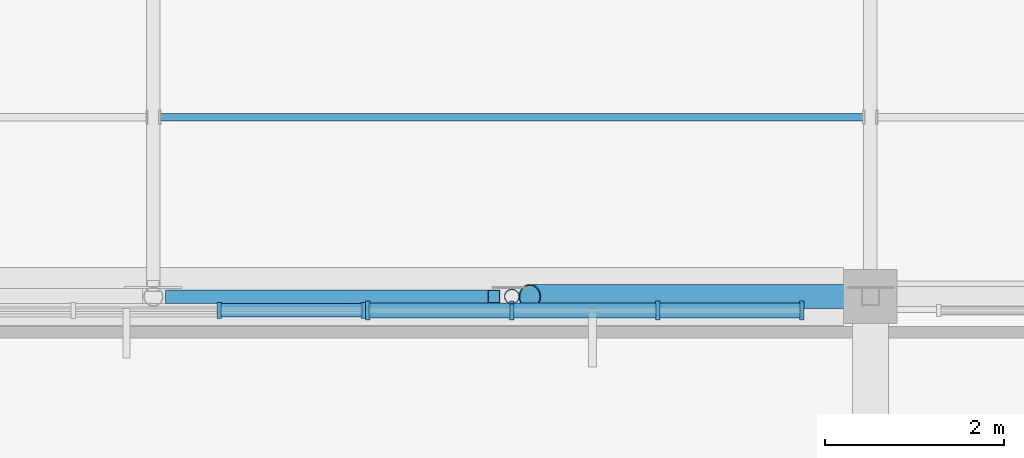
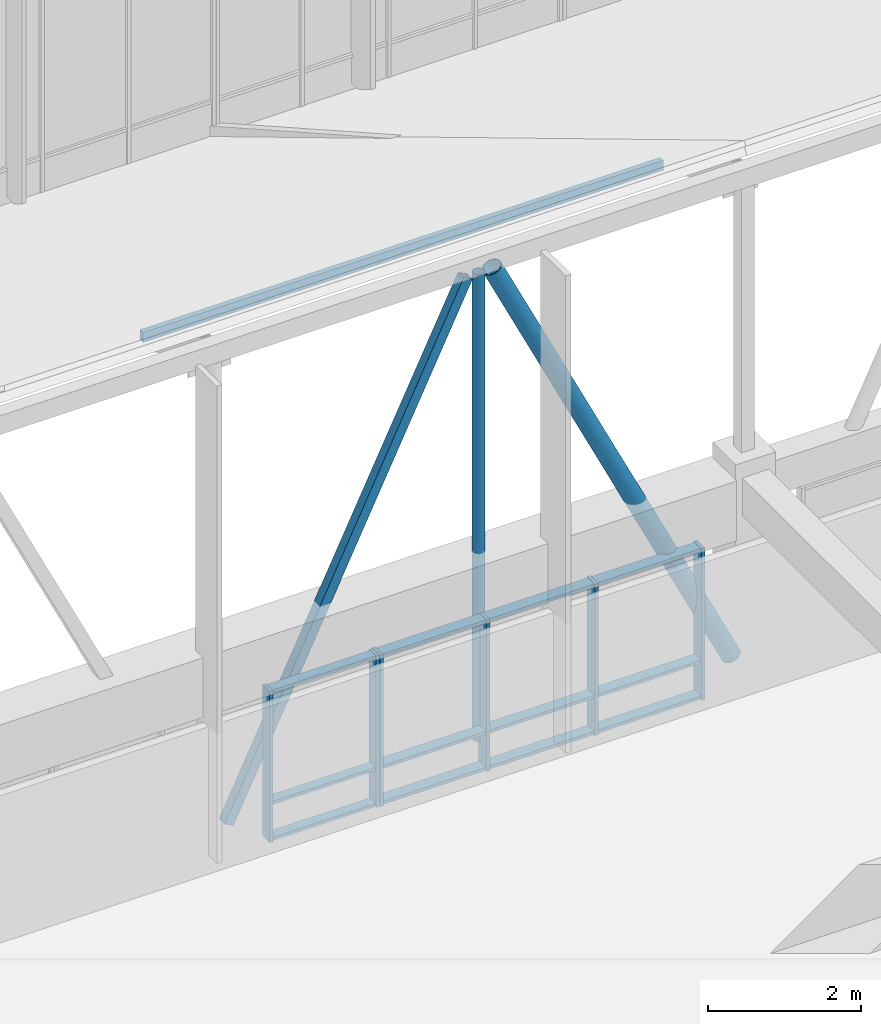
# One storey, part 34 of 155: 22 members, 2 elements without a shape of their own.
"""IFC4 building model written with IfcOpenShell, lengths in metres."""

from ifc_helpers import new_model, si_unit, direction, frame, origin, origin_2d, place, context, subcontext, project, spatial, rectangle, hollow_rectangle, hollow_circle, extrude, material, material_profile, profile_set, type_object, element, aggregate, save


model = new_model("IFC4")

# Units and contexts
model_context = context("Model", 3, precision=1e-05, world=origin(), true_north=direction((0.0, 1.0)))
body_context = subcontext(model_context, "Body", "Model", "MODEL_VIEW")
ifc_project = project(units=[si_unit("LENGTHUNIT", "METRE"), si_unit("AREAUNIT", "SQUARE_METRE"), si_unit("VOLUMEUNIT", "CUBIC_METRE"), si_unit("PLANEANGLEUNIT", "RADIAN"), si_unit("MASSUNIT", "GRAM", prefix="KILO")], contexts=[model_context])

# Site, building, storey
site_placement = place(None, origin())
site = spatial("IfcSite", under=ifc_project, at=site_placement, CompositionType="ELEMENT")
building_placement = place(site_placement, origin())
building = spatial("IfcBuilding", under=site, at=building_placement, Name="Larkveld Mobility Hub", CompositionType="ELEMENT")
storey_placement = place(building_placement, frame((0.0, 0.0, 8.39990234375)))
storey = spatial("IfcBuildingStorey", under=building, at=storey_placement, Name="L02", CompositionType="ELEMENT", Elevation=8.39990234375)

# Curtain wall, members
ifc_material_1 = material(Name="Anodised aluminium 6063-T6", Category="aluminium")
curtain_wall_type_1 = type_object("IfcCurtainWallType", Name="CW-SYS-10", PredefinedType="NOTDEFINED", material=ifc_material_1)
curtain_wall_1_placement = place(storey_placement, origin())
curtain_wall_1 = element("IfcCurtainWall", 1, at=curtain_wall_1_placement, inside=storey, type_object=curtain_wall_type_1, Name="Sawtooth South-Light Clerestory B1 CW-010", PredefinedType="NOTDEFINED")
ifc_material_profile_1 = material_profile(ifc_material_1, rectangle(XDim=0.050048828125, YDim=0.179931640625, at=origin_2d()), Name="ALU MULL 50x180")
ifc_profile_set_1 = profile_set([ifc_material_profile_1], Name="Anodised aluminium 6063-T6")
member_type_1 = type_object("IfcMemberType", Name="CW-MUL-02", PredefinedType="MULLION", material=ifc_profile_set_1)
member_1_placement = place(storey_placement, frame((160.735107421875, 27.844970703125, -0.001953125), z_axis=(0.0, 0.0, 1.0), x_axis=(1.0, 0.0, 0.0)))
member_1 = element("IfcMember", 2, at=member_1_placement, type_object=member_type_1, Name="CW10 mullion 3", PredefinedType="MULLION", context=body_context, shape_type="SweptSolid", body=[
    extrude(rectangle(XDim=0.050048828125, YDim=0.179931640625, at=origin_2d()), origin(), (0.0, 0.0, 1.0), 2.412109375),
])
member_2_placement = place(storey_placement, frame((162.341064453125, 27.844970703125, -0.001953125), z_axis=(0.0, 0.0, 1.0), x_axis=(1.0, 0.0, 0.0)))
member_2 = element("IfcMember", 3, at=member_2_placement, type_object=member_type_1, Name="CW10 mullion 4", PredefinedType="MULLION", context=body_context, shape_type="SweptSolid", body=[
    extrude(rectangle(XDim=0.050048828125, YDim=0.179931640625, at=origin_2d()), origin(), (0.0, 0.0, 1.0), 2.412109375),
])

curtain_wall_type_2 = type_object("IfcCurtainWallType", Name="CW-SYS-11", PredefinedType="NOTDEFINED", material=ifc_material_1)
curtain_wall_2_placement = place(storey_placement, origin())
curtain_wall_2 = element("IfcCurtainWall", 4, at=curtain_wall_2_placement, inside=storey, type_object=curtain_wall_type_2, Name="Sawtooth South-Light Clerestory B1 CW-011", PredefinedType="NOTDEFINED")
ifc_material_profile_2 = material_profile(ifc_material_1, rectangle(XDim=0.050048828125, YDim=0.2099609375, at=origin_2d()), Name="ALU MULL 50x210")
ifc_profile_set_2 = profile_set([ifc_material_profile_2], Name="Anodised aluminium 6063-T6")
member_type_2 = type_object("IfcMemberType", Name="CW-MUL-03", PredefinedType="MULLION", material=ifc_profile_set_2)
member_3_placement = place(storey_placement, frame((162.39208984375, 27.844970703125, -0.001953125), z_axis=(0.0, 0.0, 1.0), x_axis=(1.0, 0.0, 0.0)))
member_3 = element("IfcMember", 5, at=member_3_placement, type_object=member_type_2, Name="CW11 mullion 1", PredefinedType="MULLION", context=body_context, shape_type="SweptSolid", body=[
    extrude(rectangle(XDim=0.050048828125, YDim=0.2099609375, at=origin_2d()), origin(), (0.0, 0.0, 1.0), 2.412109375),
])
member_4_placement = place(storey_placement, frame((163.998046875, 27.844970703125, -0.001953125), z_axis=(0.0, 0.0, 1.0), x_axis=(1.0, 0.0, 0.0)))
member_4 = element("IfcMember", 6, at=member_4_placement, type_object=member_type_2, Name="CW11 mullion 2", PredefinedType="MULLION", context=body_context, shape_type="SweptSolid", body=[
    extrude(rectangle(XDim=0.050048828125, YDim=0.2099609375, at=origin_2d()), origin(), (0.0, 0.0, 1.0), 2.412109375),
])
member_5_placement = place(storey_placement, frame((165.62890625, 27.844970703125, -0.001953125), z_axis=(0.0, 0.0, 1.0), x_axis=(1.0, 0.0, 0.0)))
member_5 = element("IfcMember", 7, at=member_5_placement, type_object=member_type_2, Name="CW11 mullion 3", PredefinedType="MULLION", context=body_context, shape_type="SweptSolid", body=[
    extrude(rectangle(XDim=0.050048828125, YDim=0.2099609375, at=origin_2d()), origin(), (0.0, 0.0, 1.0), 2.412109375),
])
member_6_placement = place(storey_placement, frame((167.235107421875, 27.844970703125, -0.001953125), z_axis=(0.0, 0.0, 1.0), x_axis=(1.0, 0.0, 0.0)))
member_6 = element("IfcMember", 8, at=member_6_placement, type_object=member_type_2, Name="CW11 mullion 4", PredefinedType="MULLION", context=body_context, shape_type="SweptSolid", body=[
    extrude(rectangle(XDim=0.050048828125, YDim=0.2099609375, at=origin_2d()), origin(), (0.0, 0.0, 1.0), 2.412109375),
])

# Member
ifc_material_profile_3 = material_profile(ifc_material_1, rectangle(XDim=0.14990234375, YDim=0.050048828125, at=origin_2d()), Name="ALU TRAN 50x150")
ifc_profile_set_3 = profile_set([ifc_material_profile_3], Name="Anodised aluminium 6063-T6")
member_type_3 = type_object("IfcMemberType", Name="CW-TRN-02", PredefinedType="USERDEFINED", material=ifc_profile_set_3)
member_7_placement = place(storey_placement, frame((160.75, 27.844970703125, 0.030029296875), z_axis=(1.0, 0.0, 0.0), x_axis=(0.0, 1.0, 0.0)))
member_7 = element("IfcMember", 9, at=member_7_placement, type_object=member_type_3, Name="CW10 transom 3.1", ObjectType="TRANSOM", PredefinedType="USERDEFINED", context=body_context, shape_type="SweptSolid", body=[
    extrude(rectangle(XDim=0.14990234375, YDim=0.050048828125, at=origin_2d()), origin(), (0.0, 0.0, 1.0), 1.5810546875),
])

member_8_placement = place(storey_placement, frame((160.75, 27.844970703125, 0.60205078125), z_axis=(1.0, 0.0, 0.0), x_axis=(0.0, 1.0, 0.0)))
member_8 = element("IfcMember", 10, at=member_8_placement, type_object=member_type_3, Name="CW10 transom 3.2", ObjectType="TRANSOM", PredefinedType="USERDEFINED", context=body_context, shape_type="SweptSolid", body=[
    extrude(rectangle(XDim=0.14990234375, YDim=0.050048828125, at=origin_2d()), origin(), (0.0, 0.0, 1.0), 1.5810546875),
])

member_9_placement = place(storey_placement, frame((160.75, 27.844970703125, 2.378173828125), z_axis=(1.0, 0.0, 0.0), x_axis=(0.0, 1.0, 0.0)))
member_9 = element("IfcMember", 11, at=member_9_placement, type_object=member_type_3, Name="CW10 transom 3.3", ObjectType="TRANSOM", PredefinedType="USERDEFINED", context=body_context, shape_type="SweptSolid", body=[
    extrude(rectangle(XDim=0.14990234375, YDim=0.050048828125, at=origin_2d()), origin(), (0.0, 0.0, 1.0), 1.5810546875),
])

aggregate(curtain_wall_1, [member_1, member_2, member_7, member_8, member_9])

ifc_material_profile_4 = material_profile(ifc_material_1, rectangle(XDim=0.169921875, YDim=0.050048828125, at=origin_2d()), Name="ALU TRAN 50x170")
ifc_profile_set_4 = profile_set([ifc_material_profile_4], Name="Anodised aluminium 6063-T6")
member_type_4 = type_object("IfcMemberType", Name="CW-TRN-03", PredefinedType="USERDEFINED", material=ifc_profile_set_4)
member_10_placement = place(storey_placement, frame((162.402099609375, 27.844970703125, 0.030029296875), z_axis=(1.0, 0.0, 0.0), x_axis=(0.0, 1.0, 0.0)))
member_10 = element("IfcMember", 12, at=member_10_placement, type_object=member_type_4, Name="CW11 transom 1.1", ObjectType="TRANSOM", PredefinedType="USERDEFINED", context=body_context, shape_type="SweptSolid", body=[
    extrude(rectangle(XDim=0.169921875, YDim=0.050048828125, at=origin_2d()), origin(), (0.0, 0.0, 1.0), 1.580810546875),
])

member_11_placement = place(storey_placement, frame((162.402099609375, 27.844970703125, 0.60205078125), z_axis=(1.0, 0.0, 0.0), x_axis=(0.0, 1.0, 0.0)))
member_11 = element("IfcMember", 13, at=member_11_placement, type_object=member_type_4, Name="CW11 transom 1.2", ObjectType="TRANSOM", PredefinedType="USERDEFINED", context=body_context, shape_type="SweptSolid", body=[
    extrude(rectangle(XDim=0.169921875, YDim=0.050048828125, at=origin_2d()), origin(), (0.0, 0.0, 1.0), 1.580810546875),
])

member_12_placement = place(storey_placement, frame((162.402099609375, 27.844970703125, 2.378173828125), z_axis=(1.0, 0.0, 0.0), x_axis=(0.0, 1.0, 0.0)))
member_12 = element("IfcMember", 14, at=member_12_placement, type_object=member_type_4, Name="CW11 transom 1.3", ObjectType="TRANSOM", PredefinedType="USERDEFINED", context=body_context, shape_type="SweptSolid", body=[
    extrude(rectangle(XDim=0.169921875, YDim=0.050048828125, at=origin_2d()), origin(), (0.0, 0.0, 1.0), 1.580810546875),
])

member_13_placement = place(storey_placement, frame((164.012939453125, 27.844970703125, 0.030029296875), z_axis=(1.0, 0.0, 0.0), x_axis=(0.0, 1.0, 0.0)))
member_13 = element("IfcMember", 15, at=member_13_placement, type_object=member_type_4, Name="CW11 transom 2.1", ObjectType="TRANSOM", PredefinedType="USERDEFINED", context=body_context, shape_type="SweptSolid", body=[
    extrude(rectangle(XDim=0.169921875, YDim=0.050048828125, at=origin_2d()), origin(), (0.0, 0.0, 1.0), 1.60107421875),
])

member_14_placement = place(storey_placement, frame((164.012939453125, 27.844970703125, 0.60205078125), z_axis=(1.0, 0.0, 0.0), x_axis=(0.0, 1.0, 0.0)))
member_14 = element("IfcMember", 16, at=member_14_placement, type_object=member_type_4, Name="CW11 transom 2.2", ObjectType="TRANSOM", PredefinedType="USERDEFINED", context=body_context, shape_type="SweptSolid", body=[
    extrude(rectangle(XDim=0.169921875, YDim=0.050048828125, at=origin_2d()), origin(), (0.0, 0.0, 1.0), 1.60107421875),
])

member_15_placement = place(storey_placement, frame((164.012939453125, 27.844970703125, 2.378173828125), z_axis=(1.0, 0.0, 0.0), x_axis=(0.0, 1.0, 0.0)))
member_15 = element("IfcMember", 17, at=member_15_placement, type_object=member_type_4, Name="CW11 transom 2.3", ObjectType="TRANSOM", PredefinedType="USERDEFINED", context=body_context, shape_type="SweptSolid", body=[
    extrude(rectangle(XDim=0.169921875, YDim=0.050048828125, at=origin_2d()), origin(), (0.0, 0.0, 1.0), 1.60107421875),
])

member_16_placement = place(storey_placement, frame((165.64404296875, 27.844970703125, 0.030029296875), z_axis=(1.0, 0.0, 0.0), x_axis=(0.0, 1.0, 0.0)))
member_16 = element("IfcMember", 18, at=member_16_placement, type_object=member_type_4, Name="CW11 transom 3.1", ObjectType="TRANSOM", PredefinedType="USERDEFINED", context=body_context, shape_type="SweptSolid", body=[
    extrude(rectangle(XDim=0.169921875, YDim=0.050048828125, at=origin_2d()), origin(), (0.0, 0.0, 1.0), 1.5810546875),
])

member_17_placement = place(storey_placement, frame((165.64404296875, 27.844970703125, 0.60205078125), z_axis=(1.0, 0.0, 0.0), x_axis=(0.0, 1.0, 0.0)))
member_17 = element("IfcMember", 19, at=member_17_placement, type_object=member_type_4, Name="CW11 transom 3.2", ObjectType="TRANSOM", PredefinedType="USERDEFINED", context=body_context, shape_type="SweptSolid", body=[
    extrude(rectangle(XDim=0.169921875, YDim=0.050048828125, at=origin_2d()), origin(), (0.0, 0.0, 1.0), 1.5810546875),
])

member_18_placement = place(storey_placement, frame((165.64404296875, 27.844970703125, 2.378173828125), z_axis=(1.0, 0.0, 0.0), x_axis=(0.0, 1.0, 0.0)))
member_18 = element("IfcMember", 20, at=member_18_placement, type_object=member_type_4, Name="CW11 transom 3.3", ObjectType="TRANSOM", PredefinedType="USERDEFINED", context=body_context, shape_type="SweptSolid", body=[
    extrude(rectangle(XDim=0.169921875, YDim=0.050048828125, at=origin_2d()), origin(), (0.0, 0.0, 1.0), 1.5810546875),
])

aggregate(curtain_wall_2, [member_3, member_4, member_5, member_6, member_10, member_11, member_12, member_13, member_14, member_15, member_16, member_17, member_18])

# Members
ifc_material_2 = material(Name="Steel S355JR", Category="steel")
ifc_material_profile_5 = material_profile(ifc_material_2, hollow_circle(Radius=0.084228515625, WallThickness=0.008056640625, at=origin_2d()), Name="CHS 168.3x8")
ifc_profile_set_5 = profile_set([ifc_material_profile_5], Name="Steel S355JR")
member_type_5 = type_object("IfcMemberType", Name="MB-BR-CHS168", PredefinedType="BRACE", material=ifc_profile_set_5)
member_19_placement = place(storey_placement, frame((164.0, 28.0, 0.360107421875), z_axis=(0.0, 0.0, 1.0), x_axis=(1.0, 0.0, 0.0)))
element("IfcMember", 21, at=member_19_placement, inside=storey, type_object=member_type_5, Name="ROOF TRUSS T1 Vertical Post 3", PredefinedType="BRACE", context=body_context, shape_type="SweptSolid", body=[
    extrude(hollow_circle(Radius=0.084228515625, WallThickness=0.008056640625, at=origin_2d()), origin(), (0.0, 0.0, 1.0), 7.43994140625),
])
ifc_material_profile_6 = material_profile(ifc_material_2, hollow_circle(Radius=0.136474609375, WallThickness=0.012451171875, at=origin_2d()), Name="CHS 273x12.5")
ifc_profile_set_6 = profile_set([ifc_material_profile_6], Name="Steel S355JR")
member_type_6 = type_object("IfcMemberType", Name="MB-BR-CHS273", PredefinedType="BRACE", material=ifc_profile_set_6)
member_20_placement = place(storey_placement, frame((164.199951171875, 28.0, 7.800048828125), z_axis=(0.435573281392, 0.0, -0.900153273914), x_axis=(0.0, 1.0, 0.0)))
element("IfcMember", 22, at=member_20_placement, inside=storey, type_object=member_type_6, Name="ROOF TRUSS T1 Web Diagonal 4", PredefinedType="BRACE", context=body_context, shape_type="SweptSolid", body=[
    extrude(hollow_circle(Radius=0.136474609375, WallThickness=0.012451171875, at=origin_2d()), origin(), (0.0, 0.0, 1.0), 8.26513671875),
])
ifc_material_profile_7 = material_profile(ifc_material_2, hollow_rectangle(XDim=0.14990234375, YDim=0.14990234375, WallThickness=0.008056640625, at=origin_2d()), Name="SHS 150x150x8")
ifc_profile_set_7 = profile_set([ifc_material_profile_7], Name="Steel S355JR")
member_type_7 = type_object("IfcMemberType", Name="MB-BR-SHS150", PredefinedType="BRACE", material=ifc_profile_set_7)
member_21_placement = place(storey_placement, frame((160.199951171875, 28.0, 0.360107421875), z_axis=(0.435573281392, 0.0, 0.900153273914), x_axis=(0.0, 1.0, 0.0)))
element("IfcMember", 23, at=member_21_placement, inside=storey, type_object=member_type_7, Name="ROOF TRUSS T1 Web Diagonal 3", PredefinedType="BRACE", context=body_context, shape_type="SweptSolid", body=[
    extrude(hollow_rectangle(XDim=0.14990234375, YDim=0.14990234375, WallThickness=0.008056640625, at=origin_2d()), origin(), (0.0, 0.0, 1.0), 8.26513671875),
])
ifc_material_profile_8 = material_profile(ifc_material_2, hollow_rectangle(XDim=0.080078125, YDim=0.159912109375, WallThickness=0.008056640625, at=origin_2d()), Name="RHS 160x80x8")
ifc_profile_set_8 = profile_set([ifc_material_profile_8], Name="Steel S355JR")
member_type_8 = type_object("IfcMemberType", Name="MB-PR-RHS160", PredefinedType="PURLIN", material=ifc_profile_set_8)
member_22_placement = place(storey_placement, frame((160.080078125, 30.0, 6.927001953125), z_axis=(1.0, 0.0, 0.0), x_axis=(0.0, 1.0, 0.0)))
element("IfcMember", 24, at=member_22_placement, inside=storey, type_object=member_type_8, Name="Sawtooth Roof Purlin B1-1.2", PredefinedType="PURLIN", context=body_context, shape_type="SweptSolid", body=[
    extrude(hollow_rectangle(XDim=0.080078125, YDim=0.159912109375, WallThickness=0.008056640625, at=origin_2d()), origin(), (0.0, 0.0, 1.0), 7.83984375),
])

save(model, "model.ifc")
